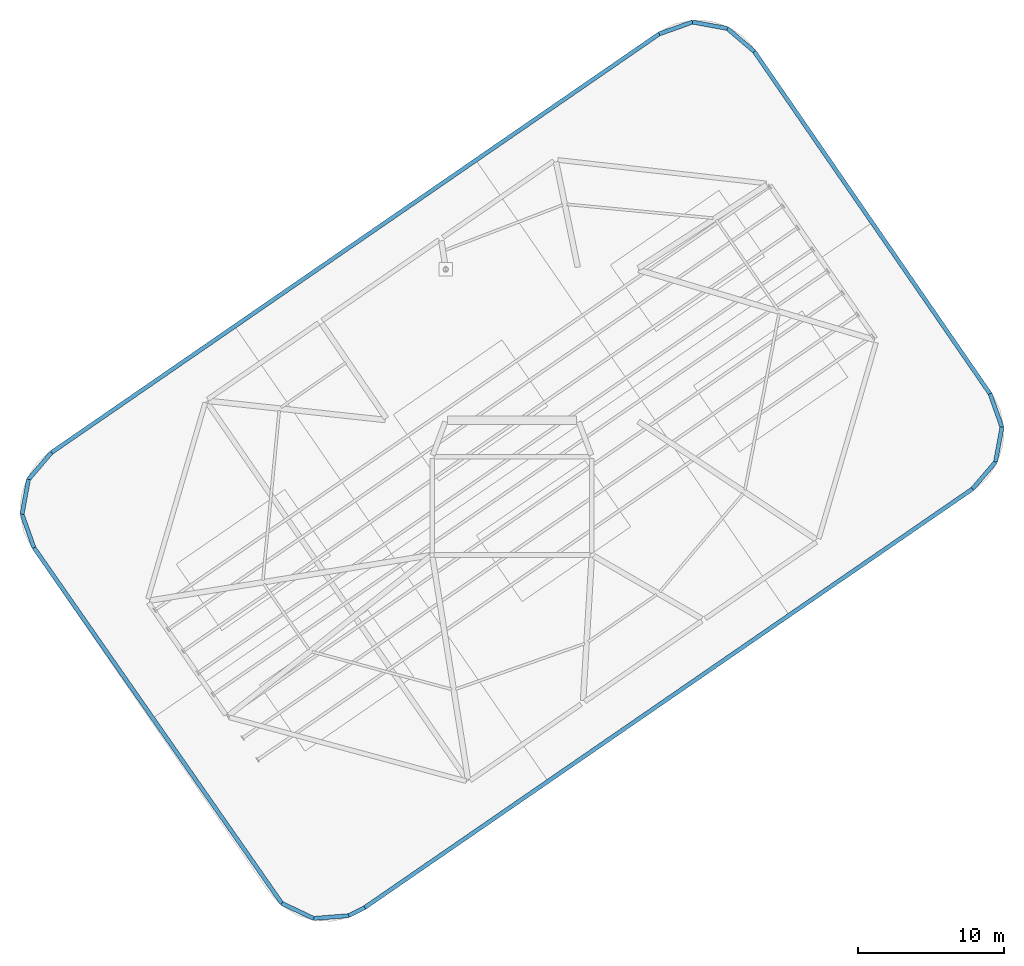
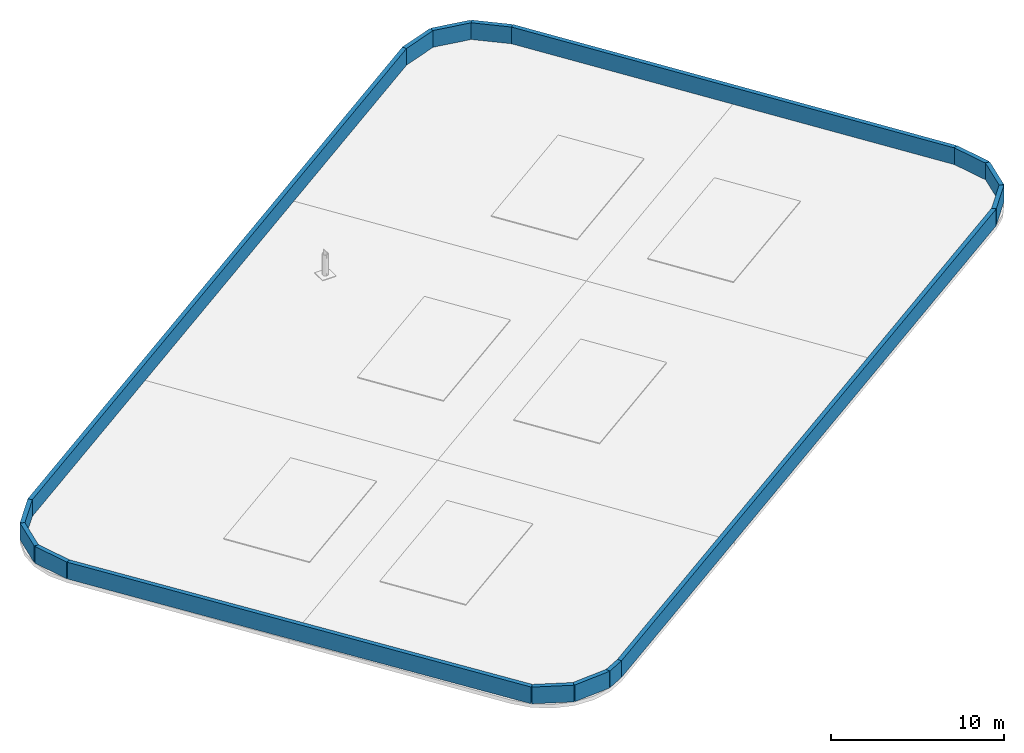
# One storey, part 6 of 7: 16 walls.
"""IFC4 building model written with IfcOpenShell, lengths in metres."""

from ifc_helpers import new_model, si_unit, direction, frame, frame_2d, origin, place, context, subcontext, project, spatial, rectangle, extrude, material, layer, layer_set, type_object, element, save


model = new_model("IFC4")

# Units and contexts
model_context = context("Model", 3, precision=1e-05, world=origin(), true_north=direction((0.0, 1.0)))
body_context = subcontext(model_context, "Body", "Model", "MODEL_VIEW")
ifc_project = project(units=[si_unit("LENGTHUNIT", "METRE"), si_unit("AREAUNIT", "SQUARE_METRE"), si_unit("VOLUMEUNIT", "CUBIC_METRE"), si_unit("PLANEANGLEUNIT", "RADIAN"), si_unit("MASSUNIT", "GRAM", prefix="KILO")], contexts=[model_context])

# Site, building, storey
site_placement = place(None, origin())
site = spatial("IfcSite", under=ifc_project, at=site_placement, CompositionType="ELEMENT")
building_placement = place(site_placement, origin())
building = spatial("IfcBuilding", under=site, at=building_placement, Name="Varnelok Gate Tower", CompositionType="ELEMENT")
storey_placement = place(building_placement, frame((0.0, 0.0, 310.699951171875)))
storey = spatial("IfcBuildingStorey", under=building, at=storey_placement, Name="ROOF", CompositionType="ELEMENT", Elevation=310.699951171875)

# Walls
ifc_material = material(Name="Concrete C45/55", Category="concrete")
ifc_layer = layer(ifc_material, 0.280029296875)
ifc_layer_set = layer_set([ifc_layer], Name="Concrete C45/55")
wall_type = type_object("IfcWallType", Name="EW-PARAP-280", PredefinedType="PARAPET", material=ifc_layer_set)
for number, where, z_axis, x_axis, name in (
    (1, (23.480224609375, -4.235107421875, 0.0), (0.0, 0.0, 1.0), (0.903041955455, -0.429552356166, 0.0), "ROOF Maintenance Parapet Wall 1"),
    (2, (25.657958984375, -5.27099609375, 0.0), (0.0, 0.0, 1.0), (0.996829425609, 0.0795681861, 0.0), "ROOF Maintenance Parapet Wall 2"),
):
    element("IfcWall", number, at=place(storey_placement, frame(where, z_axis=z_axis, x_axis=x_axis)), inside=storey, type_object=wall_type, Name=name, PredefinedType="PARAPET", context=body_context, shape_type="SweptSolid", body=[
        extrude(rectangle(XDim=2.41162109375, YDim=0.280029296875, at=frame_2d((1.205810546875, 0.0))), origin(), (0.0, 0.0, 1.0), 1.179931640625),
    ])
wall_1_placement = place(storey_placement, frame((28.06201171875, -5.0791015625, 0.0), z_axis=(0.0, 0.0, 1.0), x_axis=(0.89056920711, 0.454847762826, 0.0)))
element("IfcWall", 3, at=wall_1_placement, inside=storey, type_object=wall_type, Name="ROOF Maintenance Parapet Wall 3", PredefinedType="PARAPET", context=body_context, shape_type="SweptSolid", body=[
    extrude(rectangle(XDim=1.225341796875, YDim=0.280029296875, at=frame_2d((0.61279296875, 0.0))), origin(), (0.0, 0.0, 1.0), 1.179931640625),
])
wall_2_placement = place(storey_placement, frame((29.1533203125, -4.521728515625, 0.0), z_axis=(0.0, 0.0, 1.0), x_axis=(0.823532301715, 0.567269378718, 0.0)))
element("IfcWall", 4, at=wall_2_placement, inside=storey, type_object=wall_type, Name="ROOF Maintenance Parapet Wall 4", PredefinedType="PARAPET", context=body_context, shape_type="SweptSolid", body=[
    extrude(rectangle(XDim=50.38134765625, YDim=0.280029296875, at=frame_2d((25.190673828125, 0.0))), origin(), (0.0, 0.0, 1.0), 1.179931640625),
])
wall_3_placement = place(storey_placement, frame((70.64404296875, 24.05810546875, 0.0), z_axis=(0.0, 0.0, 1.0), x_axis=(0.649029014221, 0.760763654954, 0.0)))
element("IfcWall", 5, at=wall_3_placement, inside=storey, type_object=wall_type, Name="ROOF Maintenance Parapet Wall 5", PredefinedType="PARAPET", context=body_context, shape_type="SweptSolid", body=[
    extrude(rectangle(XDim=2.4208984375, YDim=0.280029296875, at=frame_2d((1.21044921875, 0.0))), origin(), (0.0, 0.0, 1.0), 1.179931640625),
])
wall_4_placement = place(storey_placement, frame((72.21533203125, 25.89990234375, 0.0), z_axis=(0.0, 0.0, 1.0), x_axis=(0.181121200326, 0.983460782539, 0.0)))
element("IfcWall", 6, at=wall_4_placement, inside=storey, type_object=wall_type, Name="ROOF Maintenance Parapet Wall 6", PredefinedType="PARAPET", context=body_context, shape_type="SweptSolid", body=[
    extrude(rectangle(XDim=2.411376953125, YDim=0.280029296875, at=frame_2d((1.20556640625, 0.0))), origin(), (0.0, 0.0, 1.0), 1.179931640625),
])
wall_5_placement = place(storey_placement, frame((72.652099609375, 28.271484375, 0.0), z_axis=(0.0, 0.0, 1.0), x_axis=(-0.33516686028, 0.942158784797, 0.0)))
element("IfcWall", 7, at=wall_5_placement, inside=storey, type_object=wall_type, Name="ROOF Maintenance Parapet Wall 7", PredefinedType="PARAPET", context=body_context, shape_type="SweptSolid", body=[
    extrude(rectangle(XDim=2.42041015625, YDim=0.280029296875, at=frame_2d((1.210205078125, 0.0))), origin(), (0.0, 0.0, 1.0), 1.179931640625),
])
wall_6_placement = place(storey_placement, frame((71.8408203125, 30.552001953125, 0.0), z_axis=(0.0, 0.0, 1.0), x_axis=(-0.567269326711, 0.823532337539, 0.0)))
element("IfcWall", 8, at=wall_6_placement, inside=storey, type_object=wall_type, Name="ROOF Maintenance Parapet Wall 8", PredefinedType="PARAPET", context=body_context, shape_type="SweptSolid", body=[
    extrude(rectangle(XDim=28.3818359375, YDim=0.280029296875, at=frame_2d((14.19091796875, 0.0))), origin(), (0.0, 0.0, 1.0), 1.179931640625),
])
wall_7_placement = place(storey_placement, frame((55.74072265625, 53.92529296875, 0.0), z_axis=(0.0, 0.0, 1.0), x_axis=(-0.760813448246, 0.64897064415, 0.0)))
element("IfcWall", 9, at=wall_7_placement, inside=storey, type_object=wall_type, Name="ROOF Maintenance Parapet Wall 9", PredefinedType="PARAPET", context=body_context, shape_type="SweptSolid", body=[
    extrude(rectangle(XDim=2.4208984375, YDim=0.280029296875, at=frame_2d((1.21044921875, 0.0))), origin(), (0.0, 0.0, 1.0), 1.179931640625),
])
wall_8_placement = place(storey_placement, frame((53.89892578125, 55.496337890625, 0.0), z_axis=(0.0, 0.0, 1.0), x_axis=(-0.983442744277, 0.181219118, 0.0)))
element("IfcWall", 10, at=wall_8_placement, inside=storey, type_object=wall_type, Name="ROOF Maintenance Parapet Wall 10", PredefinedType="PARAPET", context=body_context, shape_type="SweptSolid", body=[
    extrude(rectangle(XDim=2.41162109375, YDim=0.280029296875, at=frame_2d((1.205810546875, 0.0))), origin(), (0.0, 0.0, 1.0), 1.179931640625),
])
wall_9_placement = place(storey_placement, frame((51.52734375, 55.933349609375, 0.0), z_axis=(0.0, 0.0, 1.0), x_axis=(-0.942126931146, -0.335256387874, 0.0)))
element("IfcWall", 11, at=wall_9_placement, inside=storey, type_object=wall_type, Name="ROOF Maintenance Parapet Wall 11", PredefinedType="PARAPET", context=body_context, shape_type="SweptSolid", body=[
    extrude(rectangle(XDim=2.420654296875, YDim=0.280029296875, at=frame_2d((1.21044921875, 0.0))), origin(), (0.0, 0.0, 1.0), 1.179931640625),
])
wall_10_placement = place(storey_placement, frame((49.246826171875, 55.121826171875, 0.0), z_axis=(0.0, 0.0, 1.0), x_axis=(-0.823531597278, -0.567270401383, 0.0)))
element("IfcWall", 12, at=wall_10_placement, inside=storey, type_object=wall_type, Name="ROOF Maintenance Parapet Wall 12", PredefinedType="PARAPET", context=body_context, shape_type="SweptSolid", body=[
    extrude(rectangle(XDim=50.3818359375, YDim=0.280029296875, at=frame_2d((25.19091796875, 0.0))), origin(), (0.0, 0.0, 1.0), 1.179931640625),
])
wall_11_placement = place(storey_placement, frame((7.755859375, 26.541748046875, 0.0), z_axis=(0.0, 0.0, 1.0), x_axis=(-0.649020440892, -0.760770969021, 0.0)))
element("IfcWall", 13, at=wall_11_placement, inside=storey, type_object=wall_type, Name="ROOF Maintenance Parapet Wall 13", PredefinedType="PARAPET", context=body_context, shape_type="SweptSolid", body=[
    extrude(rectangle(XDim=2.420654296875, YDim=0.280029296875, at=frame_2d((1.21044921875, 0.0))), origin(), (0.0, 0.0, 1.0), 1.179931640625),
])
wall_12_placement = place(storey_placement, frame((6.184814453125, 24.7001953125, 0.0), z_axis=(0.0, 0.0, 1.0), x_axis=(-0.181219118, -0.983442744277, 0.0)))
element("IfcWall", 14, at=wall_12_placement, inside=storey, type_object=wall_type, Name="ROOF Maintenance Parapet Wall 14", PredefinedType="PARAPET", context=body_context, shape_type="SweptSolid", body=[
    extrude(rectangle(XDim=2.41162109375, YDim=0.280029296875, at=frame_2d((1.205810546875, 0.0))), origin(), (0.0, 0.0, 1.0), 1.179931640625),
])
wall_13_placement = place(storey_placement, frame((5.747802734375, 22.32861328125, 0.0), z_axis=(0.0, 0.0, 1.0), x_axis=(0.335256387874, -0.942126931146, 0.0)))
element("IfcWall", 15, at=wall_13_placement, inside=storey, type_object=wall_type, Name="ROOF Maintenance Parapet Wall 15", PredefinedType="PARAPET", context=body_context, shape_type="SweptSolid", body=[
    extrude(rectangle(XDim=2.420654296875, YDim=0.280029296875, at=frame_2d((1.21044921875, 0.0))), origin(), (0.0, 0.0, 1.0), 1.179931640625),
])
wall_14_placement = place(storey_placement, frame((6.559326171875, 20.048095703125, 0.0), z_axis=(0.0, 0.0, 1.0), x_axis=(0.571707193364, -0.820457728988, 0.0)))
element("IfcWall", 16, at=wall_14_placement, inside=storey, type_object=wall_type, Name="ROOF Maintenance Parapet Wall 16", PredefinedType="PARAPET", context=body_context, shape_type="SweptSolid", body=[
    extrude(rectangle(XDim=29.59716796875, YDim=0.280029296875, at=frame_2d((14.798583984375, 0.0))), origin(), (0.0, 0.0, 1.0), 1.179931640625),
])

save(model, "model.ifc")
